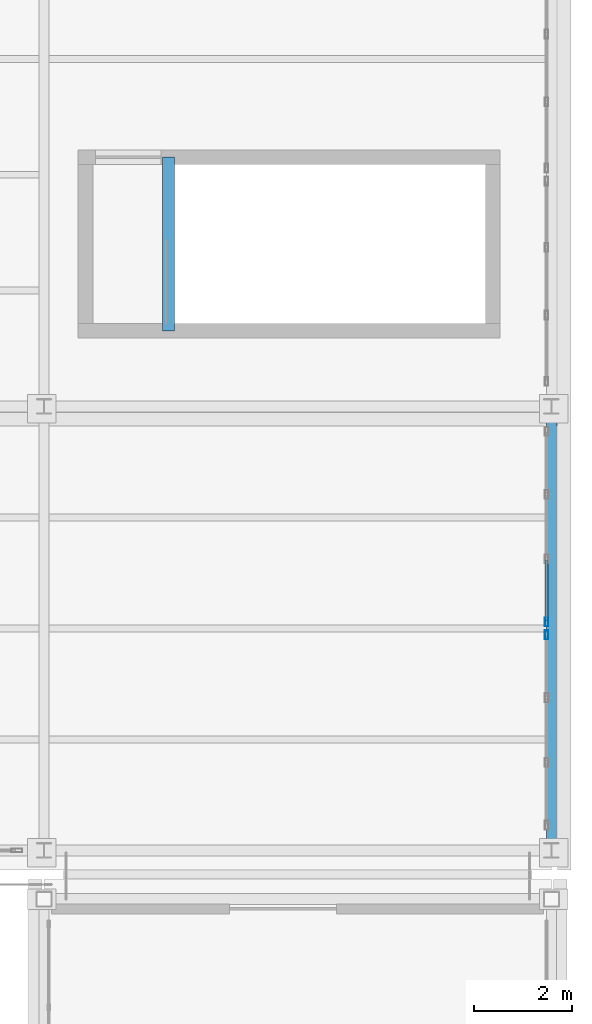
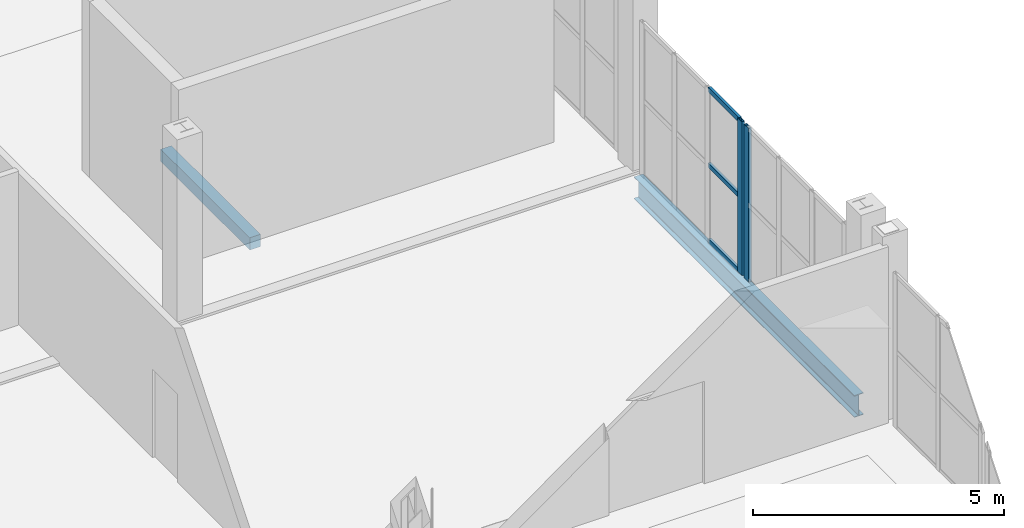
# One storey, part 96 of 156: 5 members, 2 beams, 2 elements without a shape of their own.
"""IFC4 building model written with IfcOpenShell, lengths in metres."""

import ifcopenshell
import ifcopenshell.guid

model = None  # the IFC model being written
_history = None  # IfcOwnerHistory: only IFC2X3 demands one
_inside = {}  # id of a spatial element -> (the spatial element, [elements in it])
_under = {}  # id of a project, library or spatial element -> (it, [spatial elements below it])
_declared = {}  # id of a project -> (the project, [libraries it declares])
_typed = {}  # id of a type object -> (the type object, [elements of that type])
_made_of = {}  # id of a material, layer set ... -> (it, [elements and type objects made of it])


def new_model(schema):
    """Start an empty IFC model of exactly this schema.

    Asked for "IFC4X3", IfcOpenShell would pick the latest addendum, in which some entities
    have other attributes; the version numbers below select the first issue.
    IFC2X3 requires an IfcOwnerHistory on every rooted entity: one is made here for all.
    """
    global model, _history
    if schema == "IFC4X3":
        model = ifcopenshell.file(schema_version=(4, 3, 0, 0))
    else:
        model = ifcopenshell.file(schema=schema)
    _inside.clear()
    _under.clear()
    _declared.clear()
    _typed.clear()
    _made_of.clear()
    _history = None
    if model.schema == "IFC2X3":
        org = make("IfcOrganization", Name="unknown")
        user = make(
            "IfcPersonAndOrganization",
            ThePerson=make("IfcPerson", FamilyName="unknown"),
            TheOrganization=org,
        )
        app = make(
            "IfcApplication",
            ApplicationDeveloper=org,
            Version="unknown",
            ApplicationFullName="unknown",
            ApplicationIdentifier="unknown",
        )
        _history = make(
            "IfcOwnerHistory",
            OwningUser=user,
            OwningApplication=app,
            ChangeAction="ADDED",
            CreationDate=0,
        )
    return model


def make(cls, **values):
    """One entity of the class cls with the attributes given. An attribute that is None is left unset."""
    return model.create_entity(
        cls, **{name: value for name, value in values.items() if value is not None}
    )


def rooted(cls, **values):
    """An entity with a GlobalId (a new one), such as an element, a storey or a relation."""
    return make(cls, GlobalId=ifcopenshell.guid.new(), OwnerHistory=_history, **values)


def si_unit(unit_type, name, prefix=None):
    """IfcSIUnit, for example si_unit("LENGTHUNIT", "METRE", prefix="MILLI")."""
    return make("IfcSIUnit", UnitType=unit_type, Prefix=prefix, Name=name)


def assignment(units):
    """IfcUnitAssignment: the units of a project."""
    return None if units is None else make("IfcUnitAssignment", Units=units)


def point(xyz):
    """IfcCartesianPoint."""
    return None if xyz is None else make("IfcCartesianPoint", Coordinates=xyz)


def direction(xyz):
    """IfcDirection."""
    return None if xyz is None else make("IfcDirection", DirectionRatios=xyz)


def frame(location, z_axis=None, x_axis=None):
    """IfcAxis2Placement3D, a coordinate frame: its origin and axes. An axis left out is left unset."""
    return make(
        "IfcAxis2Placement3D",
        Location=point(location),
        Axis=direction(z_axis),
        RefDirection=direction(x_axis),
    )


def frame_2d(location, x_axis=None):
    """IfcAxis2Placement2D, a coordinate frame in the plane: its origin and x axis."""
    return make(
        "IfcAxis2Placement2D", Location=point(location), RefDirection=direction(x_axis)
    )


def origin():
    """The frame at (0, 0, 0) with its axes left unset."""
    return frame((0.0, 0.0, 0.0))


def origin_2d():
    """The frame at (0, 0) in the plane with its x axis left unset."""
    return frame_2d((0.0, 0.0))


def place(relative_to, where):
    """IfcLocalPlacement: puts the frame where relative to a parent placement (None: the world)."""
    return make(
        "IfcLocalPlacement", PlacementRelTo=relative_to, RelativePlacement=where
    )


def context(
    kind, dimensions, precision=None, world=None, true_north=None, identifier=None
):
    """IfcGeometricRepresentationContext, for example the 3D "Model" context."""
    return make(
        "IfcGeometricRepresentationContext",
        ContextIdentifier=identifier,
        ContextType=kind,
        CoordinateSpaceDimension=dimensions,
        Precision=precision,
        WorldCoordinateSystem=world,
        TrueNorth=true_north,
    )


def subcontext(parent, identifier, kind, view, scale=None):
    """IfcGeometricRepresentationSubContext, for example "Body" below "Model"."""
    return make(
        "IfcGeometricRepresentationSubContext",
        ContextIdentifier=identifier,
        ContextType=kind,
        ParentContext=parent,
        TargetScale=scale,
        TargetView=view,
    )


def project(units=None, contexts=None):
    """IfcProject with its units and contexts."""
    return rooted(
        "IfcProject",
        Name="project",
        RepresentationContexts=contexts,
        UnitsInContext=assignment(units),
    )


def spatial(cls, under=None, at=None, **own):
    """A site, building, storey or space (cls), placed at a placement, below another one or the project."""
    s = rooted(cls, ObjectPlacement=at, **own)
    if under is not None:
        _under.setdefault(under.id(), (under, []))[1].append(s)
    return s


def profile(cls, at=None, kind="AREA", **sizes):
    """A parametric profile (cls). Its sizes go by their IFC names, for example OverallWidth=200.0."""
    return make(cls, ProfileType=kind, Position=at, **sizes)


def rectangle(**sizes):
    """IfcRectangleProfileDef."""
    return profile("IfcRectangleProfileDef", **sizes)


def hollow_rectangle(**sizes):
    """IfcRectangleHollowProfileDef."""
    return profile("IfcRectangleHollowProfileDef", **sizes)


def i_section(**sizes):
    """IfcIShapeProfileDef."""
    return profile("IfcIShapeProfileDef", **sizes)


def extrude(swept, where, along, depth):
    """IfcExtrudedAreaSolid: the profile swept, set in the frame where, extruded along a direction by depth."""
    return make(
        "IfcExtrudedAreaSolid",
        SweptArea=swept,
        Position=where,
        ExtrudedDirection=direction(along),
        Depth=depth,
    )


def shape(context_of_items, identifier, shape_type, items):
    """IfcShapeRepresentation: the items that make up one representation, for example the "Body"."""
    return make(
        "IfcShapeRepresentation",
        ContextOfItems=context_of_items,
        RepresentationIdentifier=identifier,
        RepresentationType=shape_type,
        Items=items,
    )


def material(Name=None, Category=None):
    """IfcMaterial."""
    return make("IfcMaterial", Name=Name, Category=Category)


def material_profile(
    of_material, cross_section, Name=None, Category=None, Priority=None
):
    """IfcMaterialProfile: a cross section and its material."""
    return make(
        "IfcMaterialProfile",
        Name=Name,
        Material=of_material,
        Profile=cross_section,
        Priority=Priority,
        Category=Category,
    )


def profile_set(profiles, Name=None, composite=None):
    """IfcMaterialProfileSet."""
    return make(
        "IfcMaterialProfileSet",
        Name=Name,
        MaterialProfiles=profiles,
        CompositeProfile=composite,
    )


def made_of(thing, what):
    """Note that an element or type object is made of a material, layer set ...; save() writes the relation."""
    if what is not None:
        _made_of.setdefault(what.id(), (what, []))[1].append(thing)
    return thing


def type_object(cls, material=None, **own):
    """A type object (cls), such as IfcWallType, which elements share."""
    return made_of(rooted(cls, **own), material)


def element(
    cls,
    number,
    at=None,
    inside=None,
    cuts=None,
    type_object=None,
    material=None,
    context=None,
    identifier="Body",
    shape_type=None,
    held_by="IfcProductDefinitionShape",
    body=None,
    shapes=None,
    **own,
):
    """One element of the class cls, such as IfcWall. Its Tag is "e" and its number.

    at: its placement. inside: the storey or other place that contains it. cuts: it is an
    opening in that element (IfcRelVoidsElement). A single representation is given by context,
    identifier, shape_type and body (its items); several are given by shapes. held_by: the class
    of the entity that holds the representations. save() writes the other relations.
    """
    e = rooted(cls, Tag="e%d" % number, ObjectPlacement=at, **own)
    if body is not None:
        shapes = [shape(context, identifier, shape_type, body)]
    if shapes is not None:
        e.Representation = make(held_by, Representations=shapes)
    if inside is not None:
        _inside.setdefault(inside.id(), (inside, []))[1].append(e)
    if cuts is not None:
        rooted(
            "IfcRelVoidsElement", RelatingBuildingElement=cuts, RelatedOpeningElement=e
        )
    if type_object is not None:
        _typed.setdefault(type_object.id(), (type_object, []))[1].append(e)
    return made_of(e, material)


def aggregate(whole, parts):
    """IfcRelAggregates: a whole, such as a stair, and the parts it consists of."""
    return rooted("IfcRelAggregates", RelatingObject=whole, RelatedObjects=parts)


def save(model, path):
    """Write the relations noted so far, then the file.

    IfcRelAggregates (storeys below a building ...), IfcRelContainedInSpatialStructure (elements
    in a storey), IfcRelDefinesByType, IfcRelAssociatesMaterial and IfcRelDeclares: one each for
    every whole, place, type object, material and project.
    """
    for whole, parts in _under.values():
        aggregate(whole, parts)
    for where, things in _inside.values():
        rooted(
            "IfcRelContainedInSpatialStructure",
            RelatedElements=things,
            RelatingStructure=where,
        )
    for kind, things in _typed.values():
        rooted("IfcRelDefinesByType", RelatedObjects=things, RelatingType=kind)
    for what, things in _made_of.values():
        rooted("IfcRelAssociatesMaterial", RelatedObjects=things, RelatingMaterial=what)
    for by, libraries in _declared.values():
        rooted("IfcRelDeclares", RelatingContext=by, RelatedDefinitions=libraries)
    model.write(path)


model = new_model("IFC4")

# Units and contexts
model_context = context("Model", 3, precision=1e-05, world=origin(), true_north=direction((0.0, 1.0)))
body_context = subcontext(model_context, "Body", "Model", "MODEL_VIEW")
ifc_project = project(units=[si_unit("LENGTHUNIT", "METRE"), si_unit("AREAUNIT", "SQUARE_METRE"), si_unit("VOLUMEUNIT", "CUBIC_METRE"), si_unit("PLANEANGLEUNIT", "RADIAN"), si_unit("MASSUNIT", "GRAM", prefix="KILO")], contexts=[model_context])

# Site, building, storey
site_placement = place(None, origin())
site = spatial("IfcSite", under=ifc_project, at=site_placement, CompositionType="ELEMENT")
building_placement = place(site_placement, origin())
building = spatial("IfcBuilding", under=site, at=building_placement, Name="Caurita Quay Ferry Terminal", CompositionType="ELEMENT")
storey_placement = place(building_placement, frame((0.0, 0.0, 5.39990234375)))
storey = spatial("IfcBuildingStorey", under=building, at=storey_placement, Name="L01", CompositionType="ELEMENT", Elevation=5.39990234375)

# Beam
ifc_material_1 = material(Name="Structural steel ASTM A992 Gr. 50", Category="steel")
ifc_material_profile_1 = material_profile(ifc_material_1, i_section(OverallWidth=0.210693359375, OverallDepth=0.53857421875, WebThickness=0.01171875, FlangeThickness=0.018798828125, FilletRadius=0.013916015625, at=origin_2d()), Name="W21X73")
ifc_profile_set_1 = profile_set([ifc_material_profile_1], Name="Structural steel ASTM A992 Gr. 50")
beam_type_1 = type_object("IfcBeamType", Name="BM-GR-W21A", PredefinedType="BEAM", material=ifc_profile_set_1)
beam_1_placement = place(storey_placement, frame((174.0, 34.75439453125, -0.504150390625), z_axis=(0.0, 1.0, 0.0), x_axis=(-1.0, 0.0, 0.0)))
element("IfcBeam", 1, at=beam_1_placement, inside=storey, type_object=beam_type_1, Name="L01 Beam BM-V3H-L01-Y-1740-348", PredefinedType="BEAM", context=body_context, shape_type="SweptSolid", body=[
    extrude(i_section(OverallWidth=0.210693359375, OverallDepth=0.53857421875, WebThickness=0.01171875, FlangeThickness=0.018798828125, FilletRadius=0.013916015625, at=origin_2d()), origin(), (0.0, 0.0, 1.0), 8.791259765625),
])

# Curtain wall, member
ifc_material_2 = material(Name="Laminated solar-control insulated glass", Category="glass")
curtain_wall_type = type_object("IfcCurtainWallType", Name="CW-SYS-18", PredefinedType="NOTDEFINED", material=ifc_material_2)
curtain_wall_1_placement = place(storey_placement, origin())
curtain_wall_1 = element("IfcCurtainWall", 2, at=curtain_wall_1_placement, inside=storey, type_object=curtain_wall_type, Name="Boarding Headhouse East Curtain Wall 136", PredefinedType="NOTDEFINED")
ifc_material_3 = material(Name="Anodized aluminium 6063-T6", Category="aluminium")
ifc_material_profile_2 = material_profile(ifc_material_3, hollow_rectangle(XDim=0.06494140625, YDim=0.179931640625, WallThickness=0.00390625, at=origin_2d()), Name="ALU-MUL-65X180")
ifc_profile_set_2 = profile_set([ifc_material_profile_2], Name="Anodized aluminium 6063-T6")
member_type_1 = type_object("IfcMemberType", Name="CW-MUL-180", PredefinedType="MULLION", material=ifc_profile_set_2)
member_1_placement = place(storey_placement, frame((173.89990234375, 39.017578125, 0.0), z_axis=(0.0, 0.0, 1.0), x_axis=(-1.0, 0.0, 0.0)))
member_1 = element("IfcMember", 3, at=member_1_placement, type_object=member_type_1, Name="CW-V3E-136 Mullion 4", PredefinedType="MULLION", context=body_context, shape_type="SweptSolid", body=[
    extrude(hollow_rectangle(XDim=0.06494140625, YDim=0.179931640625, WallThickness=0.00390625, at=origin_2d()), origin(), (0.0, 0.0, 1.0), 3.75),
])
aggregate(curtain_wall_1, [member_1])

# Curtain wall, members
curtain_wall_2_placement = place(storey_placement, origin())
curtain_wall_2 = element("IfcCurtainWall", 4, at=curtain_wall_2_placement, inside=storey, type_object=curtain_wall_type, Name="Boarding Headhouse East Curtain Wall 137", PredefinedType="NOTDEFINED")
member_2_placement = place(storey_placement, frame((173.89990234375, 39.282470703125, 0.0), z_axis=(0.0, 0.0, 1.0), x_axis=(-1.0, 0.0, 0.0)))
member_2 = element("IfcMember", 5, at=member_2_placement, type_object=member_type_1, Name="CW-V3E-137 Mullion 1", PredefinedType="MULLION", context=body_context, shape_type="SweptSolid", body=[
    extrude(hollow_rectangle(XDim=0.06494140625, YDim=0.179931640625, WallThickness=0.00390625, at=origin_2d()), origin(), (0.0, 0.0, 1.0), 3.75),
])
ifc_material_profile_3 = material_profile(ifc_material_3, hollow_rectangle(XDim=0.06005859375, YDim=0.114990234375, WallThickness=0.00341796875, at=origin_2d()), Name="ALU-TRN-60X115")
ifc_profile_set_3 = profile_set([ifc_material_profile_3], Name="Anodized aluminium 6063-T6")
member_type_2 = type_object("IfcMemberType", Name="CW-TRN-115", PredefinedType="USERDEFINED", material=ifc_profile_set_3)
member_3_placement = place(storey_placement, frame((173.89990234375, 39.31298828125, 0.030029296875), z_axis=(0.0, 1.0, 0.0), x_axis=(-1.0, 0.0, 0.0)))
member_3 = element("IfcMember", 6, at=member_3_placement, type_object=member_type_2, Name="CW-V3E-137 Transom 1", ObjectType="TRANSOM", PredefinedType="USERDEFINED", context=body_context, shape_type="SweptSolid", body=[
    extrude(hollow_rectangle(XDim=0.06005859375, YDim=0.114990234375, WallThickness=0.00341796875, at=origin_2d()), origin(), (0.0, 0.0, 1.0), 1.229736328125),
])
member_4_placement = place(storey_placement, frame((173.89990234375, 39.31298828125, 1.875), z_axis=(0.0, 1.0, 0.0), x_axis=(-1.0, 0.0, 0.0)))
member_4 = element("IfcMember", 7, at=member_4_placement, type_object=member_type_2, Name="CW-V3E-137 Transom 2", ObjectType="TRANSOM", PredefinedType="USERDEFINED", context=body_context, shape_type="SweptSolid", body=[
    extrude(hollow_rectangle(XDim=0.06005859375, YDim=0.114990234375, WallThickness=0.00341796875, at=origin_2d()), origin(), (0.0, 0.0, 1.0), 1.229736328125),
])
member_5_placement = place(storey_placement, frame((173.89990234375, 39.31298828125, 3.72021484375), z_axis=(0.0, 1.0, 0.0), x_axis=(-1.0, 0.0, 0.0)))
member_5 = element("IfcMember", 8, at=member_5_placement, type_object=member_type_2, Name="CW-V3E-137 Transom 3", ObjectType="TRANSOM", PredefinedType="USERDEFINED", context=body_context, shape_type="SweptSolid", body=[
    extrude(hollow_rectangle(XDim=0.06005859375, YDim=0.114990234375, WallThickness=0.00341796875, at=origin_2d()), origin(), (0.0, 0.0, 1.0), 1.229736328125),
])
aggregate(curtain_wall_2, [member_2, member_3, member_4, member_5])

# Beam
ifc_material_4 = material(Name="Reinforced concrete C35/45", Category="concrete")
ifc_material_profile_4 = material_profile(ifc_material_4, rectangle(XDim=0.25, YDim=0.300048828125, at=origin_2d()), Name="RC-LN-250X300")
ifc_profile_set_4 = profile_set([ifc_material_profile_4], Name="Reinforced concrete C35/45")
beam_type_2 = type_object("IfcBeamType", Name="LN-RC-2530", PredefinedType="LINTEL", material=ifc_profile_set_4)
beam_2_placement = place(storey_placement, frame((166.14990234375, 45.25, -0.14990234375), z_axis=(0.0, 1.0, 0.0), x_axis=(-1.0, 0.0, 0.0)))
element("IfcBeam", 9, at=beam_2_placement, inside=storey, type_object=beam_type_2, Name="L01 Stair ST-11 Landing Trimmer Beam", PredefinedType="LINTEL", context=body_context, shape_type="SweptSolid", body=[
    extrude(rectangle(XDim=0.25, YDim=0.300048828125, at=origin_2d()), origin(), (0.0, 0.0, 1.0), 3.56005859375),
])

save(model, "model.ifc")
